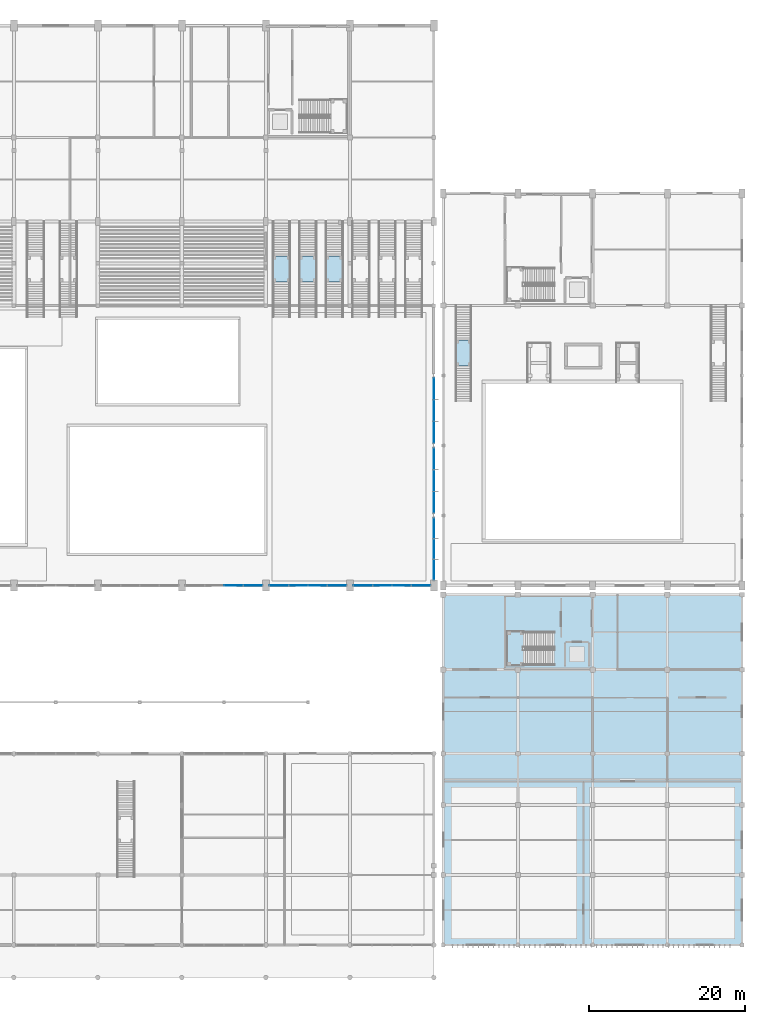
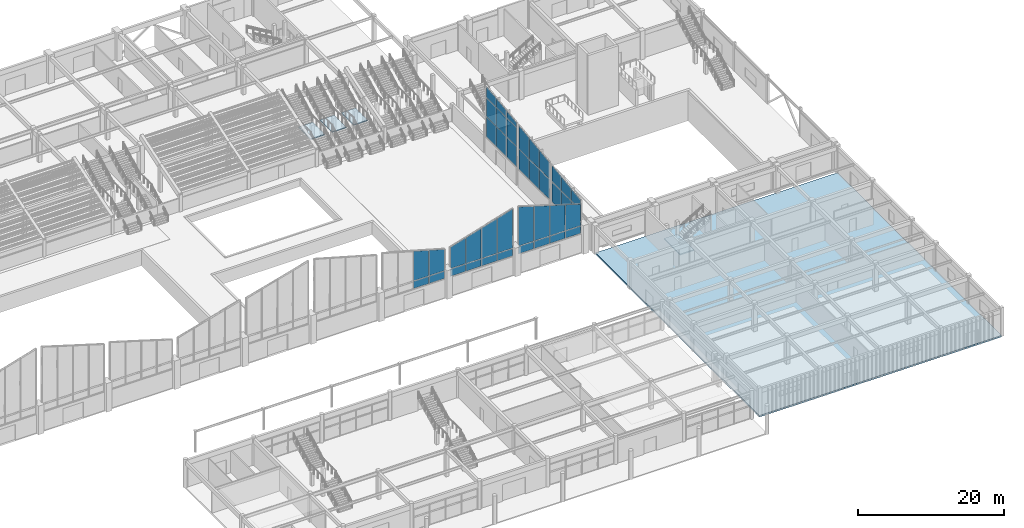
# One storey, part 44 of 82: 41 plates, 6 slabs, 11 elements without a shape of their own.
"""IFC4 building model written with IfcOpenShell, lengths in metres."""

import ifcopenshell
import ifcopenshell.guid

model = None  # the IFC model being written
_history = None  # IfcOwnerHistory: only IFC2X3 demands one
_inside = {}  # id of a spatial element -> (the spatial element, [elements in it])
_under = {}  # id of a project, library or spatial element -> (it, [spatial elements below it])
_declared = {}  # id of a project -> (the project, [libraries it declares])
_typed = {}  # id of a type object -> (the type object, [elements of that type])
_made_of = {}  # id of a material, layer set ... -> (it, [elements and type objects made of it])


def new_model(schema):
    """Start an empty IFC model of exactly this schema.

    Asked for "IFC4X3", IfcOpenShell would pick the latest addendum, in which some entities
    have other attributes; the version numbers below select the first issue.
    IFC2X3 requires an IfcOwnerHistory on every rooted entity: one is made here for all.
    """
    global model, _history
    if schema == "IFC4X3":
        model = ifcopenshell.file(schema_version=(4, 3, 0, 0))
    else:
        model = ifcopenshell.file(schema=schema)
    _inside.clear()
    _under.clear()
    _declared.clear()
    _typed.clear()
    _made_of.clear()
    _history = None
    if model.schema == "IFC2X3":
        org = make("IfcOrganization", Name="unknown")
        user = make(
            "IfcPersonAndOrganization",
            ThePerson=make("IfcPerson", FamilyName="unknown"),
            TheOrganization=org,
        )
        app = make(
            "IfcApplication",
            ApplicationDeveloper=org,
            Version="unknown",
            ApplicationFullName="unknown",
            ApplicationIdentifier="unknown",
        )
        _history = make(
            "IfcOwnerHistory",
            OwningUser=user,
            OwningApplication=app,
            ChangeAction="ADDED",
            CreationDate=0,
        )
    return model


def make(cls, **values):
    """One entity of the class cls with the attributes given. An attribute that is None is left unset."""
    return model.create_entity(
        cls, **{name: value for name, value in values.items() if value is not None}
    )


def rooted(cls, **values):
    """An entity with a GlobalId (a new one), such as an element, a storey or a relation."""
    return make(cls, GlobalId=ifcopenshell.guid.new(), OwnerHistory=_history, **values)


def si_unit(unit_type, name, prefix=None):
    """IfcSIUnit, for example si_unit("LENGTHUNIT", "METRE", prefix="MILLI")."""
    return make("IfcSIUnit", UnitType=unit_type, Prefix=prefix, Name=name)


def assignment(units):
    """IfcUnitAssignment: the units of a project."""
    return None if units is None else make("IfcUnitAssignment", Units=units)


def point(xyz):
    """IfcCartesianPoint."""
    return None if xyz is None else make("IfcCartesianPoint", Coordinates=xyz)


def direction(xyz):
    """IfcDirection."""
    return None if xyz is None else make("IfcDirection", DirectionRatios=xyz)


def frame(location, z_axis=None, x_axis=None):
    """IfcAxis2Placement3D, a coordinate frame: its origin and axes. An axis left out is left unset."""
    return make(
        "IfcAxis2Placement3D",
        Location=point(location),
        Axis=direction(z_axis),
        RefDirection=direction(x_axis),
    )


def origin():
    """The frame at (0, 0, 0) with its axes left unset."""
    return frame((0.0, 0.0, 0.0))


def place(relative_to, where):
    """IfcLocalPlacement: puts the frame where relative to a parent placement (None: the world)."""
    return make(
        "IfcLocalPlacement", PlacementRelTo=relative_to, RelativePlacement=where
    )


def context(
    kind, dimensions, precision=None, world=None, true_north=None, identifier=None
):
    """IfcGeometricRepresentationContext, for example the 3D "Model" context."""
    return make(
        "IfcGeometricRepresentationContext",
        ContextIdentifier=identifier,
        ContextType=kind,
        CoordinateSpaceDimension=dimensions,
        Precision=precision,
        WorldCoordinateSystem=world,
        TrueNorth=true_north,
    )


def subcontext(parent, identifier, kind, view, scale=None):
    """IfcGeometricRepresentationSubContext, for example "Body" below "Model"."""
    return make(
        "IfcGeometricRepresentationSubContext",
        ContextIdentifier=identifier,
        ContextType=kind,
        ParentContext=parent,
        TargetScale=scale,
        TargetView=view,
    )


def project(units=None, contexts=None):
    """IfcProject with its units and contexts."""
    return rooted(
        "IfcProject",
        Name="project",
        RepresentationContexts=contexts,
        UnitsInContext=assignment(units),
    )


def spatial(cls, under=None, at=None, **own):
    """A site, building, storey or space (cls), placed at a placement, below another one or the project."""
    s = rooted(cls, ObjectPlacement=at, **own)
    if under is not None:
        _under.setdefault(under.id(), (under, []))[1].append(s)
    return s


def polyline(points):
    """IfcPolyline through the points."""
    return make("IfcPolyline", Points=[point(p) for p in points])


def outline(outer, holes=None, kind="AREA"):
    """IfcArbitraryClosedProfileDef: a profile drawn as a closed curve; with holes, ...WithVoids."""
    if holes is None:
        return make("IfcArbitraryClosedProfileDef", ProfileType=kind, OuterCurve=outer)
    return make(
        "IfcArbitraryProfileDefWithVoids",
        ProfileType=kind,
        OuterCurve=outer,
        InnerCurves=holes,
    )


def extrude(swept, where, along, depth):
    """IfcExtrudedAreaSolid: the profile swept, set in the frame where, extruded along a direction by depth."""
    return make(
        "IfcExtrudedAreaSolid",
        SweptArea=swept,
        Position=where,
        ExtrudedDirection=direction(along),
        Depth=depth,
    )


def shape(context_of_items, identifier, shape_type, items):
    """IfcShapeRepresentation: the items that make up one representation, for example the "Body"."""
    return make(
        "IfcShapeRepresentation",
        ContextOfItems=context_of_items,
        RepresentationIdentifier=identifier,
        RepresentationType=shape_type,
        Items=items,
    )


def material(Name=None, Category=None):
    """IfcMaterial."""
    return make("IfcMaterial", Name=Name, Category=Category)


def layer(
    of_material, thickness, ventilated=None, Name=None, Category=None, Priority=None
):
    """IfcMaterialLayer: one layer of a wall or slab, of a material (None: an air gap)."""
    return make(
        "IfcMaterialLayer",
        Material=of_material,
        LayerThickness=thickness,
        IsVentilated=ventilated,
        Name=Name,
        Category=Category,
        Priority=Priority,
    )


def layer_set(layers, Name=None):
    """IfcMaterialLayerSet."""
    return make("IfcMaterialLayerSet", MaterialLayers=layers, LayerSetName=Name)


def made_of(thing, what):
    """Note that an element or type object is made of a material, layer set ...; save() writes the relation."""
    if what is not None:
        _made_of.setdefault(what.id(), (what, []))[1].append(thing)
    return thing


def type_object(cls, material=None, **own):
    """A type object (cls), such as IfcWallType, which elements share."""
    return made_of(rooted(cls, **own), material)


def element(
    cls,
    number,
    at=None,
    inside=None,
    cuts=None,
    type_object=None,
    material=None,
    context=None,
    identifier="Body",
    shape_type=None,
    held_by="IfcProductDefinitionShape",
    body=None,
    shapes=None,
    **own,
):
    """One element of the class cls, such as IfcWall. Its Tag is "e" and its number.

    at: its placement. inside: the storey or other place that contains it. cuts: it is an
    opening in that element (IfcRelVoidsElement). A single representation is given by context,
    identifier, shape_type and body (its items); several are given by shapes. held_by: the class
    of the entity that holds the representations. save() writes the other relations.
    """
    e = rooted(cls, Tag="e%d" % number, ObjectPlacement=at, **own)
    if body is not None:
        shapes = [shape(context, identifier, shape_type, body)]
    if shapes is not None:
        e.Representation = make(held_by, Representations=shapes)
    if inside is not None:
        _inside.setdefault(inside.id(), (inside, []))[1].append(e)
    if cuts is not None:
        rooted(
            "IfcRelVoidsElement", RelatingBuildingElement=cuts, RelatedOpeningElement=e
        )
    if type_object is not None:
        _typed.setdefault(type_object.id(), (type_object, []))[1].append(e)
    return made_of(e, material)


def aggregate(whole, parts):
    """IfcRelAggregates: a whole, such as a stair, and the parts it consists of."""
    return rooted("IfcRelAggregates", RelatingObject=whole, RelatedObjects=parts)


def save(model, path):
    """Write the relations noted so far, then the file.

    IfcRelAggregates (storeys below a building ...), IfcRelContainedInSpatialStructure (elements
    in a storey), IfcRelDefinesByType, IfcRelAssociatesMaterial and IfcRelDeclares: one each for
    every whole, place, type object, material and project.
    """
    for whole, parts in _under.values():
        aggregate(whole, parts)
    for where, things in _inside.values():
        rooted(
            "IfcRelContainedInSpatialStructure",
            RelatedElements=things,
            RelatingStructure=where,
        )
    for kind, things in _typed.values():
        rooted("IfcRelDefinesByType", RelatedObjects=things, RelatingType=kind)
    for what, things in _made_of.values():
        rooted("IfcRelAssociatesMaterial", RelatedObjects=things, RelatingMaterial=what)
    for by, libraries in _declared.values():
        rooted("IfcRelDeclares", RelatingContext=by, RelatedDefinitions=libraries)
    model.write(path)


model = new_model("IFC4")

# Units and contexts
model_context = context("Model", 3, precision=1e-05, world=origin(), true_north=direction((0.0, 1.0)))
body_context = subcontext(model_context, "Body", "Model", "MODEL_VIEW")
ifc_project = project(units=[si_unit("LENGTHUNIT", "METRE"), si_unit("AREAUNIT", "SQUARE_METRE"), si_unit("VOLUMEUNIT", "CUBIC_METRE"), si_unit("PLANEANGLEUNIT", "RADIAN"), si_unit("MASSUNIT", "GRAM", prefix="KILO")], contexts=[model_context])

# Site, building, storey
site_placement = place(None, origin())
site = spatial("IfcSite", under=ifc_project, at=site_placement, CompositionType="ELEMENT")
building_placement = place(site_placement, origin())
building = spatial("IfcBuilding", under=site, at=building_placement, Name="Suirenkawa Promenade Aquatics Centre", CompositionType="ELEMENT")
storey_placement = place(building_placement, origin())
storey = spatial("IfcBuildingStorey", under=building, at=storey_placement, Name="L00", CompositionType="ELEMENT", Elevation=0.0)

# Curtain wall, plates
ifc_material_1 = material(Name="Anodised aluminium 6063-T6", Category="aluminium")
curtain_wall_type_1 = type_object("IfcCurtainWallType", Name="CWAT-CLERS-12", PredefinedType="NOTDEFINED", material=ifc_material_1)
curtain_wall_1_placement = place(storey_placement, origin())
curtain_wall_1 = element("IfcCurtainWall", 1, at=curtain_wall_1_placement, inside=storey, type_object=curtain_wall_type_1, Name="Curtain wall CWA-12 CW-028", PredefinedType="NOTDEFINED")
ifc_material_2 = material(Name="Ceramic-fritted low-SHGC double glazing", Category="glass")
ifc_layer_1 = layer(ifc_material_2, 0.031982421875, Name="Ceramic-fritted low-SHGC double glazing", Category="glass")
ifc_layer_set_1 = layer_set([ifc_layer_1], Name="Ceramic-fritted low-SHGC double glazing")
plate_type_1 = type_object("IfcPlateType", Name="CWP-CLER-32", PredefinedType="CURTAIN_PANEL", material=ifc_layer_set_1)
plate_1_placement = place(storey_placement, frame((132.7509765625, 50.39990234375, 3.139892578125), z_axis=(0.0, 0.0, 1.0), x_axis=(-1.0, 0.0, 0.0)))
plate_1 = element("IfcPlate", 2, at=plate_1_placement, type_object=plate_type_1, Name="Glazed panel CP-03 CWP-00596", PredefinedType="CURTAIN_PANEL", context=body_context, shape_type="SweptSolid", body=[
    extrude(outline(polyline([(0.0400390625, 0.0), (2.435546875, 0.0), (2.435546875, 1.22021484375), (0.0400390625, 1.22021484375), (0.0400390625, 0.0)])), frame((0.0, 0.01611328125, 0.0), z_axis=(0.0, -1.0, 0.0), x_axis=(1.0, 0.0, 0.0)), (0.0, 0.0, 1.0), 0.031982421875),
])
plate_2_placement = place(storey_placement, frame((132.7509765625, 50.39990234375, 4.43994140625), z_axis=(0.0, 0.0, 1.0), x_axis=(-1.0, 0.0, 0.0)))
plate_2 = element("IfcPlate", 3, at=plate_2_placement, type_object=plate_type_1, Name="Top glazed panel CP-03 CWP-00597", PredefinedType="CURTAIN_PANEL", context=body_context, shape_type="SweptSolid", body=[
    extrude(outline(polyline([(0.0400390625, 0.0), (2.435546875, 0.0), (2.435546875, 4.27001953125), (0.0400390625, 3.570068359375), (0.0400390625, 0.0)])), frame((0.0, 0.01611328125, 0.0), z_axis=(0.0, -1.0, 0.0), x_axis=(1.0, 0.0, 0.0)), (0.0, 0.0, 1.0), 0.031982421875),
])
plate_3_placement = place(storey_placement, frame((130.275390625, 50.39990234375, 3.139892578125), z_axis=(0.0, 0.0, 1.0), x_axis=(-1.0, 0.0, 0.0)))
plate_3 = element("IfcPlate", 4, at=plate_3_placement, type_object=plate_type_1, Name="Glazed panel CP-03 CWP-00598", PredefinedType="CURTAIN_PANEL", context=body_context, shape_type="SweptSolid", body=[
    extrude(outline(polyline([(0.0400390625, 0.0), (2.435546875, 0.0), (2.435546875, 1.22021484375), (0.0400390625, 1.22021484375), (0.0400390625, 0.0)])), frame((0.0, 0.01611328125, 0.0), z_axis=(0.0, -1.0, 0.0), x_axis=(1.0, 0.0, 0.0)), (0.0, 0.0, 1.0), 0.031982421875),
])
plate_4_placement = place(storey_placement, frame((130.275390625, 50.39990234375, 4.43994140625), z_axis=(0.0, 0.0, 1.0), x_axis=(-1.0, 0.0, 0.0)))
plate_4 = element("IfcPlate", 5, at=plate_4_placement, type_object=plate_type_1, Name="Top glazed panel CP-03 CWP-00599", PredefinedType="CURTAIN_PANEL", context=body_context, shape_type="SweptSolid", body=[
    extrude(outline(polyline([(0.0400390625, 0.0), (2.435546875, 0.0), (2.435546875, 4.969970703125), (0.0400390625, 4.27001953125), (0.0400390625, 0.0)])), frame((0.0, 0.01611328125, 0.0), z_axis=(0.0, -1.0, 0.0), x_axis=(1.0, 0.0, 0.0)), (0.0, 0.0, 1.0), 0.031982421875),
])
aggregate(curtain_wall_1, [plate_1, plate_2, plate_3, plate_4])

curtain_wall_type_2 = type_object("IfcCurtainWallType", Name="CWAT-CLERS-05", PredefinedType="NOTDEFINED", material=ifc_material_1)
curtain_wall_2_placement = place(storey_placement, origin())
curtain_wall_2 = element("IfcCurtainWall", 6, at=curtain_wall_2_placement, inside=storey, type_object=curtain_wall_type_2, Name="Curtain wall CWA-05 CW-030", PredefinedType="NOTDEFINED")
plate_5_placement = place(storey_placement, frame((143.551025390625, 50.39990234375, 3.139892578125), z_axis=(0.0, 0.0, 1.0), x_axis=(-1.0, 0.0, 0.0)))
plate_5 = element("IfcPlate", 7, at=plate_5_placement, type_object=plate_type_1, Name="Glazed panel CP-03 CWP-00634", PredefinedType="CURTAIN_PANEL", context=body_context, shape_type="SweptSolid", body=[
    extrude(outline(polyline([(0.0400390625, 0.0), (2.435546875, 0.0), (2.435546875, 1.22021484375), (0.0400390625, 1.22021484375), (0.0400390625, 0.0)])), frame((0.0, 0.01611328125, 0.0), z_axis=(0.0, -1.0, 0.0), x_axis=(1.0, 0.0, 0.0)), (0.0, 0.0, 1.0), 0.031982421875),
])
plate_6_placement = place(storey_placement, frame((143.551025390625, 50.39990234375, 4.43994140625), z_axis=(0.0, 0.0, 1.0), x_axis=(-1.0, 0.0, 0.0)))
plate_6 = element("IfcPlate", 8, at=plate_6_placement, type_object=plate_type_1, Name="Top glazed panel CP-03 CWP-00635", PredefinedType="CURTAIN_PANEL", context=body_context, shape_type="SweptSolid", body=[
    extrude(outline(polyline([(0.0400390625, 0.0), (2.435546875, 0.0), (2.435546875, 5.820068359375), (0.0400390625, 6.570068359375), (0.0400390625, 0.0)])), frame((0.0, 0.01611328125, 0.0), z_axis=(0.0, -1.0, 0.0), x_axis=(1.0, 0.0, 0.0)), (0.0, 0.0, 1.0), 0.031982421875),
])
plate_7_placement = place(storey_placement, frame((141.075439453125, 50.39990234375, 3.139892578125), z_axis=(0.0, 0.0, 1.0), x_axis=(-1.0, 0.0, 0.0)))
plate_7 = element("IfcPlate", 9, at=plate_7_placement, type_object=plate_type_1, Name="Glazed panel CP-03 CWP-00636", PredefinedType="CURTAIN_PANEL", context=body_context, shape_type="SweptSolid", body=[
    extrude(outline(polyline([(0.0400390625, 0.0), (2.435546875, 0.0), (2.435546875, 1.22021484375), (0.0400390625, 1.22021484375), (0.0400390625, 0.0)])), frame((0.0, 0.01611328125, 0.0), z_axis=(0.0, -1.0, 0.0), x_axis=(1.0, 0.0, 0.0)), (0.0, 0.0, 1.0), 0.031982421875),
])
plate_8_placement = place(storey_placement, frame((141.075439453125, 50.39990234375, 4.43994140625), z_axis=(0.0, 0.0, 1.0), x_axis=(-1.0, 0.0, 0.0)))
plate_8 = element("IfcPlate", 10, at=plate_8_placement, type_object=plate_type_1, Name="Top glazed panel CP-03 CWP-00637", PredefinedType="CURTAIN_PANEL", context=body_context, shape_type="SweptSolid", body=[
    extrude(outline(polyline([(0.0400390625, 0.0), (2.435546875, 0.0), (2.435546875, 5.070068359375), (0.0400390625, 5.820068359375), (0.0400390625, 0.0)])), frame((0.0, 0.01611328125, 0.0), z_axis=(0.0, -1.0, 0.0), x_axis=(1.0, 0.0, 0.0)), (0.0, 0.0, 1.0), 0.031982421875),
])
plate_9_placement = place(storey_placement, frame((138.60009765625, 50.39990234375, 3.139892578125), z_axis=(0.0, 0.0, 1.0), x_axis=(-1.0, 0.0, 0.0)))
plate_9 = element("IfcPlate", 11, at=plate_9_placement, type_object=plate_type_1, Name="Glazed panel CP-03 CWP-00638", PredefinedType="CURTAIN_PANEL", context=body_context, shape_type="SweptSolid", body=[
    extrude(outline(polyline([(0.0400390625, 0.0), (2.435546875, 0.0), (2.435546875, 1.22021484375), (0.0400390625, 1.22021484375), (0.0400390625, 0.0)])), frame((0.0, 0.01611328125, 0.0), z_axis=(0.0, -1.0, 0.0), x_axis=(1.0, 0.0, 0.0)), (0.0, 0.0, 1.0), 0.031982421875),
])
plate_10_placement = place(storey_placement, frame((138.60009765625, 50.39990234375, 4.43994140625), z_axis=(0.0, 0.0, 1.0), x_axis=(-1.0, 0.0, 0.0)))
plate_10 = element("IfcPlate", 12, at=plate_10_placement, type_object=plate_type_1, Name="Top glazed panel CP-03 CWP-00639", PredefinedType="CURTAIN_PANEL", context=body_context, shape_type="SweptSolid", body=[
    extrude(outline(polyline([(0.0400390625, 0.0), (2.435546875, 0.0), (2.435546875, 4.320068359375), (0.0400390625, 5.070068359375), (0.0400390625, 0.0)])), frame((0.0, 0.01611328125, 0.0), z_axis=(0.0, -1.0, 0.0), x_axis=(1.0, 0.0, 0.0)), (0.0, 0.0, 1.0), 0.031982421875),
])
plate_11_placement = place(storey_placement, frame((136.12451171875, 50.39990234375, 3.139892578125), z_axis=(0.0, 0.0, 1.0), x_axis=(-1.0, 0.0, 0.0)))
plate_11 = element("IfcPlate", 13, at=plate_11_placement, type_object=plate_type_1, Name="Glazed panel CP-03 CWP-00640", PredefinedType="CURTAIN_PANEL", context=body_context, shape_type="SweptSolid", body=[
    extrude(outline(polyline([(0.0400390625, 0.0), (2.435546875, 0.0), (2.435546875, 1.22021484375), (0.0400390625, 1.22021484375), (0.0400390625, 0.0)])), frame((0.0, 0.01611328125, 0.0), z_axis=(0.0, -1.0, 0.0), x_axis=(1.0, 0.0, 0.0)), (0.0, 0.0, 1.0), 0.031982421875),
])
plate_12_placement = place(storey_placement, frame((136.12451171875, 50.39990234375, 4.43994140625), z_axis=(0.0, 0.0, 1.0), x_axis=(-1.0, 0.0, 0.0)))
plate_12 = element("IfcPlate", 14, at=plate_12_placement, type_object=plate_type_1, Name="Top glazed panel CP-03 CWP-00641", PredefinedType="CURTAIN_PANEL", context=body_context, shape_type="SweptSolid", body=[
    extrude(outline(polyline([(0.0400390625, 0.0), (2.435546875, 0.0), (2.435546875, 3.570068359375), (0.0400390625, 4.320068359375), (0.0400390625, 0.0)])), frame((0.0, 0.01611328125, 0.0), z_axis=(0.0, -1.0, 0.0), x_axis=(1.0, 0.0, 0.0)), (0.0, 0.0, 1.0), 0.031982421875),
])
aggregate(curtain_wall_2, [plate_5, plate_6, plate_7, plate_8, plate_9, plate_10, plate_11, plate_12])

curtain_wall_3_placement = place(storey_placement, origin())
curtain_wall_3 = element("IfcCurtainWall", 15, at=curtain_wall_3_placement, inside=storey, type_object=curtain_wall_type_2, Name="Curtain wall CWA-05 CW-032", PredefinedType="NOTDEFINED")
plate_13_placement = place(storey_placement, frame((154.35107421875, 50.39990234375, 3.139892578125), z_axis=(0.0, 0.0, 1.0), x_axis=(-1.0, 0.0, 0.0)))
plate_13 = element("IfcPlate", 16, at=plate_13_placement, type_object=plate_type_1, Name="Glazed panel CP-03 CWP-00672", PredefinedType="CURTAIN_PANEL", context=body_context, shape_type="SweptSolid", body=[
    extrude(outline(polyline([(0.0400390625, 0.0), (2.435546875, 0.0), (2.435546875, 1.22021484375), (0.0400390625, 1.22021484375), (0.0400390625, 0.0)])), frame((0.0, 0.01611328125, 0.0), z_axis=(0.0, -1.0, 0.0), x_axis=(1.0, 0.0, 0.0)), (0.0, 0.0, 1.0), 0.031982421875),
])
plate_14_placement = place(storey_placement, frame((154.35107421875, 50.39990234375, 4.43994140625), z_axis=(0.0, 0.0, 1.0), x_axis=(-1.0, 0.0, 0.0)))
plate_14 = element("IfcPlate", 17, at=plate_14_placement, type_object=plate_type_1, Name="Top glazed panel CP-03 CWP-00673", PredefinedType="CURTAIN_PANEL", context=body_context, shape_type="SweptSolid", body=[
    extrude(outline(polyline([(0.0400390625, 0.0), (2.435546875, 0.0), (2.435546875, 4.320068359375), (0.0400390625, 3.570068359375), (0.0400390625, 0.0)])), frame((0.0, 0.01611328125, 0.0), z_axis=(0.0, -1.0, 0.0), x_axis=(1.0, 0.0, 0.0)), (0.0, 0.0, 1.0), 0.031982421875),
])
plate_15_placement = place(storey_placement, frame((151.87548828125, 50.39990234375, 3.139892578125), z_axis=(0.0, 0.0, 1.0), x_axis=(-1.0, 0.0, 0.0)))
plate_15 = element("IfcPlate", 18, at=plate_15_placement, type_object=plate_type_1, Name="Glazed panel CP-03 CWP-00674", PredefinedType="CURTAIN_PANEL", context=body_context, shape_type="SweptSolid", body=[
    extrude(outline(polyline([(0.0400390625, 0.0), (2.435546875, 0.0), (2.435546875, 1.22021484375), (0.0400390625, 1.22021484375), (0.0400390625, 0.0)])), frame((0.0, 0.01611328125, 0.0), z_axis=(0.0, -1.0, 0.0), x_axis=(1.0, 0.0, 0.0)), (0.0, 0.0, 1.0), 0.031982421875),
])
plate_16_placement = place(storey_placement, frame((151.87548828125, 50.39990234375, 4.43994140625), z_axis=(0.0, 0.0, 1.0), x_axis=(-1.0, 0.0, 0.0)))
plate_16 = element("IfcPlate", 19, at=plate_16_placement, type_object=plate_type_1, Name="Top glazed panel CP-03 CWP-00675", PredefinedType="CURTAIN_PANEL", context=body_context, shape_type="SweptSolid", body=[
    extrude(outline(polyline([(0.0400390625, 0.0), (2.435546875, 0.0), (2.435546875, 5.070068359375), (0.0400390625, 4.320068359375), (0.0400390625, 0.0)])), frame((0.0, 0.01611328125, 0.0), z_axis=(0.0, -1.0, 0.0), x_axis=(1.0, 0.0, 0.0)), (0.0, 0.0, 1.0), 0.031982421875),
])
plate_17_placement = place(storey_placement, frame((149.39990234375, 50.39990234375, 3.139892578125), z_axis=(0.0, 0.0, 1.0), x_axis=(-1.0, 0.0, 0.0)))
plate_17 = element("IfcPlate", 20, at=plate_17_placement, type_object=plate_type_1, Name="Glazed panel CP-03 CWP-00676", PredefinedType="CURTAIN_PANEL", context=body_context, shape_type="SweptSolid", body=[
    extrude(outline(polyline([(0.0400390625, 0.0), (2.435546875, 0.0), (2.435546875, 1.22021484375), (0.0400390625, 1.22021484375), (0.0400390625, 0.0)])), frame((0.0, 0.01611328125, 0.0), z_axis=(0.0, -1.0, 0.0), x_axis=(1.0, 0.0, 0.0)), (0.0, 0.0, 1.0), 0.031982421875),
])
plate_18_placement = place(storey_placement, frame((149.39990234375, 50.39990234375, 4.43994140625), z_axis=(0.0, 0.0, 1.0), x_axis=(-1.0, 0.0, 0.0)))
plate_18 = element("IfcPlate", 21, at=plate_18_placement, type_object=plate_type_1, Name="Top glazed panel CP-03 CWP-00677", PredefinedType="CURTAIN_PANEL", context=body_context, shape_type="SweptSolid", body=[
    extrude(outline(polyline([(0.0400390625, 0.0), (2.435546875, 0.0), (2.435546875, 5.820068359375), (0.0400390625, 5.070068359375), (0.0400390625, 0.0)])), frame((0.0, 0.01611328125, 0.0), z_axis=(0.0, -1.0, 0.0), x_axis=(1.0, 0.0, 0.0)), (0.0, 0.0, 1.0), 0.031982421875),
])
plate_19_placement = place(storey_placement, frame((146.924560546875, 50.39990234375, 3.139892578125), z_axis=(0.0, 0.0, 1.0), x_axis=(-1.0, 0.0, 0.0)))
plate_19 = element("IfcPlate", 22, at=plate_19_placement, type_object=plate_type_1, Name="Glazed panel CP-03 CWP-00678", PredefinedType="CURTAIN_PANEL", context=body_context, shape_type="SweptSolid", body=[
    extrude(outline(polyline([(0.0400390625, 0.0), (2.435546875, 0.0), (2.435546875, 1.22021484375), (0.0400390625, 1.22021484375), (0.0400390625, 0.0)])), frame((0.0, 0.01611328125, 0.0), z_axis=(0.0, -1.0, 0.0), x_axis=(1.0, 0.0, 0.0)), (0.0, 0.0, 1.0), 0.031982421875),
])
plate_20_placement = place(storey_placement, frame((146.924560546875, 50.39990234375, 4.43994140625), z_axis=(0.0, 0.0, 1.0), x_axis=(-1.0, 0.0, 0.0)))
plate_20 = element("IfcPlate", 23, at=plate_20_placement, type_object=plate_type_1, Name="Top glazed panel CP-03 CWP-00679", PredefinedType="CURTAIN_PANEL", context=body_context, shape_type="SweptSolid", body=[
    extrude(outline(polyline([(0.0400390625, 0.0), (2.435546875, 0.0), (2.435546875, 6.570068359375), (0.0400390625, 5.820068359375), (0.0400390625, 0.0)])), frame((0.0, 0.01611328125, 0.0), z_axis=(0.0, -1.0, 0.0), x_axis=(1.0, 0.0, 0.0)), (0.0, 0.0, 1.0), 0.031982421875),
])
aggregate(curtain_wall_3, [plate_13, plate_14, plate_15, plate_16, plate_17, plate_18, plate_19, plate_20])

curtain_wall_type_3 = type_object("IfcCurtainWallType", Name="CWAT-GABLEV1-01", PredefinedType="NOTDEFINED", material=ifc_material_1)
curtain_wall_4_placement = place(storey_placement, origin())
curtain_wall_4 = element("IfcCurtainWall", 24, at=curtain_wall_4_placement, inside=storey, type_object=curtain_wall_type_3, Name="Curtain wall CWA-01 CW-005", PredefinedType="NOTDEFINED")
ifc_layer_2 = layer(ifc_material_2, 0.035888671875, Name="Ceramic-fritted low-SHGC double glazing", Category="glass")
ifc_layer_set_2 = layer_set([ifc_layer_2], Name="Ceramic-fritted low-SHGC double glazing")
plate_type_2 = type_object("IfcPlateType", Name="CWP-SHOJI-36", PredefinedType="CURTAIN_PANEL", material=ifc_layer_set_2)
plate_21_placement = place(storey_placement, frame((154.800048828125, 59.10107421875, 2.989990234375), z_axis=(0.0, 0.0, 1.0), x_axis=(0.0, -1.0, 0.0)))
plate_21 = element("IfcPlate", 25, at=plate_21_placement, type_object=plate_type_2, Name="Glazed panel CP-01 CWP-00114", PredefinedType="CURTAIN_PANEL", context=body_context, shape_type="SweptSolid", body=[
    extrude(outline(polyline([(0.0400390625, 0.0), (2.62744140625, 0.0), (2.62744140625, 3.3701171875), (0.0400390625, 3.3701171875), (0.0400390625, 0.0)])), frame((0.0, 0.01806640625, 0.0), z_axis=(0.0, -1.0, 0.0), x_axis=(1.0, 0.0, 0.0)), (0.0, 0.0, 1.0), 0.035888671875),
])
plate_22_placement = place(storey_placement, frame((154.800048828125, 59.10107421875, 6.43994140625), z_axis=(0.0, 0.0, 1.0), x_axis=(0.0, -1.0, 0.0)))
plate_22 = element("IfcPlate", 26, at=plate_22_placement, type_object=plate_type_2, Name="Top glazed panel CP-01 CWP-00115", PredefinedType="CURTAIN_PANEL", context=body_context, shape_type="SweptSolid", body=[
    extrude(outline(polyline([(0.0400390625, 0.0), (2.62744140625, 0.0), (2.62744140625, 2.34765625), (0.0400390625, 2.69140625), (0.0400390625, 0.0)])), frame((0.0, 0.01806640625, 0.0), z_axis=(0.0, -1.0, 0.0), x_axis=(1.0, 0.0, 0.0)), (0.0, 0.0, 1.0), 0.035888671875),
])
plate_23_placement = place(storey_placement, frame((154.800048828125, 56.43359375, 2.989990234375), z_axis=(0.0, 0.0, 1.0), x_axis=(0.0, -1.0, 0.0)))
plate_23 = element("IfcPlate", 27, at=plate_23_placement, type_object=plate_type_2, Name="Glazed panel CP-01 CWP-00116", PredefinedType="CURTAIN_PANEL", context=body_context, shape_type="SweptSolid", body=[
    extrude(outline(polyline([(0.0400390625, 0.0), (2.62744140625, 0.0), (2.62744140625, 3.3701171875), (0.0400390625, 3.3701171875), (0.0400390625, 0.0)])), frame((0.0, 0.01806640625, 0.0), z_axis=(0.0, -1.0, 0.0), x_axis=(1.0, 0.0, 0.0)), (0.0, 0.0, 1.0), 0.035888671875),
])
plate_24_placement = place(storey_placement, frame((154.800048828125, 56.43359375, 6.43994140625), z_axis=(0.0, 0.0, 1.0), x_axis=(0.0, -1.0, 0.0)))
plate_24 = element("IfcPlate", 28, at=plate_24_placement, type_object=plate_type_2, Name="Top glazed panel CP-01 CWP-00117", PredefinedType="CURTAIN_PANEL", context=body_context, shape_type="SweptSolid", body=[
    extrude(outline(polyline([(0.0400390625, 0.0), (2.62744140625, 0.0), (2.62744140625, 2.00390625), (0.0400390625, 2.34765625), (0.0400390625, 0.0)])), frame((0.0, 0.01806640625, 0.0), z_axis=(0.0, -1.0, 0.0), x_axis=(1.0, 0.0, 0.0)), (0.0, 0.0, 1.0), 0.035888671875),
])
plate_25_placement = place(storey_placement, frame((154.800048828125, 53.766357421875, 2.989990234375), z_axis=(0.0, 0.0, 1.0), x_axis=(0.0, -1.0, 0.0)))
plate_25 = element("IfcPlate", 29, at=plate_25_placement, type_object=plate_type_2, Name="Glazed panel CP-01 CWP-00118", PredefinedType="CURTAIN_PANEL", context=body_context, shape_type="SweptSolid", body=[
    extrude(outline(polyline([(0.0400390625, 0.0), (2.62744140625, 0.0), (2.62744140625, 3.3701171875), (0.0400390625, 3.3701171875), (0.0400390625, 0.0)])), frame((0.0, 0.01806640625, 0.0), z_axis=(0.0, -1.0, 0.0), x_axis=(1.0, 0.0, 0.0)), (0.0, 0.0, 1.0), 0.035888671875),
])
plate_26_placement = place(storey_placement, frame((154.800048828125, 53.766357421875, 6.43994140625), z_axis=(0.0, 0.0, 1.0), x_axis=(0.0, -1.0, 0.0)))
plate_26 = element("IfcPlate", 30, at=plate_26_placement, type_object=plate_type_2, Name="Top glazed panel CP-01 CWP-00119", PredefinedType="CURTAIN_PANEL", context=body_context, shape_type="SweptSolid", body=[
    extrude(outline(polyline([(0.0400390625, 0.0), (2.62744140625, 0.0), (2.62744140625, 1.66015625), (0.0400390625, 2.00390625), (0.0400390625, 0.0)])), frame((0.0, 0.01806640625, 0.0), z_axis=(0.0, -1.0, 0.0), x_axis=(1.0, 0.0, 0.0)), (0.0, 0.0, 1.0), 0.035888671875),
])
aggregate(curtain_wall_4, [plate_21, plate_22, plate_23, plate_24, plate_25, plate_26])

curtain_wall_type_4 = type_object("IfcCurtainWallType", Name="CWAT-GABLEV1-02", PredefinedType="NOTDEFINED", material=ifc_material_1)
curtain_wall_5_placement = place(storey_placement, origin())
curtain_wall_5 = element("IfcCurtainWall", 31, at=curtain_wall_5_placement, inside=storey, type_object=curtain_wall_type_4, Name="Curtain wall CWA-02 CW-006", PredefinedType="NOTDEFINED")
plate_27_placement = place(storey_placement, frame((154.800048828125, 68.10107421875, 2.989990234375), z_axis=(0.0, 0.0, 1.0), x_axis=(0.0, -1.0, 0.0)))
plate_27 = element("IfcPlate", 32, at=plate_27_placement, type_object=plate_type_2, Name="Glazed panel CP-01 CWP-00131", PredefinedType="CURTAIN_PANEL", context=body_context, shape_type="SweptSolid", body=[
    extrude(outline(polyline([(0.0400390625, 0.0), (2.7607421875, 0.0), (2.7607421875, 3.3701171875), (0.0400390625, 3.3701171875), (0.0400390625, 0.0)])), frame((0.0, 0.01806640625, 0.0), z_axis=(0.0, -1.0, 0.0), x_axis=(1.0, 0.0, 0.0)), (0.0, 0.0, 1.0), 0.035888671875),
])
plate_28_placement = place(storey_placement, frame((154.800048828125, 68.10107421875, 6.43994140625), z_axis=(0.0, 0.0, 1.0), x_axis=(0.0, -1.0, 0.0)))
plate_28 = element("IfcPlate", 33, at=plate_28_placement, type_object=plate_type_2, Name="Top glazed panel CP-01 CWP-00132", PredefinedType="CURTAIN_PANEL", context=body_context, shape_type="SweptSolid", body=[
    extrude(outline(polyline([(0.0400390625, 0.0), (2.7607421875, 0.0), (2.7607421875, 3.490478515625), (0.0400390625, 3.8515625), (0.0400390625, 0.0)])), frame((0.0, 0.01806640625, 0.0), z_axis=(0.0, -1.0, 0.0), x_axis=(1.0, 0.0, 0.0)), (0.0, 0.0, 1.0), 0.035888671875),
])
plate_29_placement = place(storey_placement, frame((154.800048828125, 65.30029296875, 2.989990234375), z_axis=(0.0, 0.0, 1.0), x_axis=(0.0, -1.0, 0.0)))
plate_29 = element("IfcPlate", 34, at=plate_29_placement, type_object=plate_type_2, Name="Glazed panel CP-01 CWP-00133", PredefinedType="CURTAIN_PANEL", context=body_context, shape_type="SweptSolid", body=[
    extrude(outline(polyline([(0.0400390625, 0.0), (2.7607421875, 0.0), (2.7607421875, 3.3701171875), (0.0400390625, 3.3701171875), (0.0400390625, 0.0)])), frame((0.0, 0.01806640625, 0.0), z_axis=(0.0, -1.0, 0.0), x_axis=(1.0, 0.0, 0.0)), (0.0, 0.0, 1.0), 0.035888671875),
])
plate_30_placement = place(storey_placement, frame((154.800048828125, 65.30029296875, 6.43994140625), z_axis=(0.0, 0.0, 1.0), x_axis=(0.0, -1.0, 0.0)))
plate_30 = element("IfcPlate", 35, at=plate_30_placement, type_object=plate_type_2, Name="Top glazed panel CP-01 CWP-00134", PredefinedType="CURTAIN_PANEL", context=body_context, shape_type="SweptSolid", body=[
    extrude(outline(polyline([(0.0400390625, 0.0), (2.7607421875, 0.0), (2.7607421875, 3.129638671875), (0.0400390625, 3.490478515625), (0.0400390625, 0.0)])), frame((0.0, 0.01806640625, 0.0), z_axis=(0.0, -1.0, 0.0), x_axis=(1.0, 0.0, 0.0)), (0.0, 0.0, 1.0), 0.035888671875),
])
plate_31_placement = place(storey_placement, frame((154.800048828125, 62.499755859375, 2.989990234375), z_axis=(0.0, 0.0, 1.0), x_axis=(0.0, -1.0, 0.0)))
plate_31 = element("IfcPlate", 36, at=plate_31_placement, type_object=plate_type_2, Name="Glazed panel CP-01 CWP-00135", PredefinedType="CURTAIN_PANEL", context=body_context, shape_type="SweptSolid", body=[
    extrude(outline(polyline([(0.0400390625, 0.0), (2.7607421875, 0.0), (2.7607421875, 3.3701171875), (0.0400390625, 3.3701171875), (0.0400390625, 0.0)])), frame((0.0, 0.01806640625, 0.0), z_axis=(0.0, -1.0, 0.0), x_axis=(1.0, 0.0, 0.0)), (0.0, 0.0, 1.0), 0.035888671875),
])
plate_32_placement = place(storey_placement, frame((154.800048828125, 62.499755859375, 6.43994140625), z_axis=(0.0, 0.0, 1.0), x_axis=(0.0, -1.0, 0.0)))
plate_32 = element("IfcPlate", 37, at=plate_32_placement, type_object=plate_type_2, Name="Top glazed panel CP-01 CWP-00136", PredefinedType="CURTAIN_PANEL", context=body_context, shape_type="SweptSolid", body=[
    extrude(outline(polyline([(0.0400390625, 0.0), (2.7607421875, 0.0), (2.7607421875, 2.7685546875), (0.0400390625, 3.129638671875), (0.0400390625, 0.0)])), frame((0.0, 0.01806640625, 0.0), z_axis=(0.0, -1.0, 0.0), x_axis=(1.0, 0.0, 0.0)), (0.0, 0.0, 1.0), 0.035888671875),
])
aggregate(curtain_wall_5, [plate_27, plate_28, plate_29, plate_30, plate_31, plate_32])

curtain_wall_type_5 = type_object("IfcCurtainWallType", Name="CWAT-GABLEV1-03", PredefinedType="NOTDEFINED", material=ifc_material_1)
curtain_wall_6_placement = place(storey_placement, origin())
curtain_wall_6 = element("IfcCurtainWall", 38, at=curtain_wall_6_placement, inside=storey, type_object=curtain_wall_type_5, Name="Curtain wall CWA-03 CW-007", PredefinedType="NOTDEFINED")
plate_33_placement = place(storey_placement, frame((154.800048828125, 77.10107421875, 2.989990234375), z_axis=(0.0, 0.0, 1.0), x_axis=(0.0, -1.0, 0.0)))
plate_33 = element("IfcPlate", 39, at=plate_33_placement, type_object=plate_type_2, Name="Glazed panel CP-01 CWP-00151", PredefinedType="CURTAIN_PANEL", context=body_context, shape_type="SweptSolid", body=[
    extrude(outline(polyline([(0.0400390625, 0.0), (2.7607421875, 0.0), (2.7607421875, 3.3701171875), (0.0400390625, 3.3701171875), (0.0400390625, 0.0)])), frame((0.0, 0.01806640625, 0.0), z_axis=(0.0, -1.0, 0.0), x_axis=(1.0, 0.0, 0.0)), (0.0, 0.0, 1.0), 0.035888671875),
])
plate_34_placement = place(storey_placement, frame((154.800048828125, 77.10107421875, 6.43994140625), z_axis=(0.0, 0.0, 1.0), x_axis=(0.0, -1.0, 0.0)))
plate_34 = element("IfcPlate", 40, at=plate_34_placement, type_object=plate_type_2, Name="Glazed panel CP-01 CWP-00152", PredefinedType="CURTAIN_PANEL", context=body_context, shape_type="SweptSolid", body=[
    extrude(outline(polyline([(0.0400390625, 0.0), (2.7607421875, 0.0), (2.7607421875, 3.1201171875), (0.0400390625, 3.1201171875), (0.0400390625, 0.0)])), frame((0.0, 0.01806640625, 0.0), z_axis=(0.0, -1.0, 0.0), x_axis=(1.0, 0.0, 0.0)), (0.0, 0.0, 1.0), 0.035888671875),
])
plate_35_placement = place(storey_placement, frame((154.800048828125, 77.10107421875, 9.639892578125), z_axis=(0.0, 0.0, 1.0), x_axis=(0.0, -1.0, 0.0)))
plate_35 = element("IfcPlate", 41, at=plate_35_placement, type_object=plate_type_2, Name="Top glazed panel CP-01 CWP-00153", PredefinedType="CURTAIN_PANEL", context=body_context, shape_type="SweptSolid", body=[
    extrude(outline(polyline([(0.0400390625, 0.0), (2.7607421875, 0.0), (2.7607421875, 1.45068359375), (0.0400390625, 1.8115234375), (0.0400390625, 0.0)])), frame((0.0, 0.01806640625, 0.0), z_axis=(0.0, -1.0, 0.0), x_axis=(1.0, 0.0, 0.0)), (0.0, 0.0, 1.0), 0.035888671875),
])
plate_36_placement = place(storey_placement, frame((154.800048828125, 74.30029296875, 2.989990234375), z_axis=(0.0, 0.0, 1.0), x_axis=(0.0, -1.0, 0.0)))
plate_36 = element("IfcPlate", 42, at=plate_36_placement, type_object=plate_type_2, Name="Glazed panel CP-01 CWP-00154", PredefinedType="CURTAIN_PANEL", context=body_context, shape_type="SweptSolid", body=[
    extrude(outline(polyline([(0.0400390625, 0.0), (2.7607421875, 0.0), (2.7607421875, 3.3701171875), (0.0400390625, 3.3701171875), (0.0400390625, 0.0)])), frame((0.0, 0.01806640625, 0.0), z_axis=(0.0, -1.0, 0.0), x_axis=(1.0, 0.0, 0.0)), (0.0, 0.0, 1.0), 0.035888671875),
])
plate_37_placement = place(storey_placement, frame((154.800048828125, 74.30029296875, 6.43994140625), z_axis=(0.0, 0.0, 1.0), x_axis=(0.0, -1.0, 0.0)))
plate_37 = element("IfcPlate", 43, at=plate_37_placement, type_object=plate_type_2, Name="Glazed panel CP-01 CWP-00155", PredefinedType="CURTAIN_PANEL", context=body_context, shape_type="SweptSolid", body=[
    extrude(outline(polyline([(0.0400390625, 0.0), (2.7607421875, 0.0), (2.7607421875, 3.1201171875), (0.0400390625, 3.1201171875), (0.0400390625, 0.0)])), frame((0.0, 0.01806640625, 0.0), z_axis=(0.0, -1.0, 0.0), x_axis=(1.0, 0.0, 0.0)), (0.0, 0.0, 1.0), 0.035888671875),
])
plate_38_placement = place(storey_placement, frame((154.800048828125, 74.30029296875, 9.639892578125), z_axis=(0.0, 0.0, 1.0), x_axis=(0.0, -1.0, 0.0)))
plate_38 = element("IfcPlate", 44, at=plate_38_placement, type_object=plate_type_2, Name="Top glazed panel CP-01 CWP-00156", PredefinedType="CURTAIN_PANEL", context=body_context, shape_type="SweptSolid", body=[
    extrude(outline(polyline([(0.0400390625, 0.0), (2.7607421875, 0.0), (2.7607421875, 1.089599609375), (0.0400390625, 1.45068359375), (0.0400390625, 0.0)])), frame((0.0, 0.01806640625, 0.0), z_axis=(0.0, -1.0, 0.0), x_axis=(1.0, 0.0, 0.0)), (0.0, 0.0, 1.0), 0.035888671875),
])
plate_39_placement = place(storey_placement, frame((154.800048828125, 71.499755859375, 2.989990234375), z_axis=(0.0, 0.0, 1.0), x_axis=(0.0, -1.0, 0.0)))
plate_39 = element("IfcPlate", 45, at=plate_39_placement, type_object=plate_type_2, Name="Glazed panel CP-01 CWP-00157", PredefinedType="CURTAIN_PANEL", context=body_context, shape_type="SweptSolid", body=[
    extrude(outline(polyline([(0.0400390625, 0.0), (2.7607421875, 0.0), (2.7607421875, 3.3701171875), (0.0400390625, 3.3701171875), (0.0400390625, 0.0)])), frame((0.0, 0.01806640625, 0.0), z_axis=(0.0, -1.0, 0.0), x_axis=(1.0, 0.0, 0.0)), (0.0, 0.0, 1.0), 0.035888671875),
])
plate_40_placement = place(storey_placement, frame((154.800048828125, 71.499755859375, 6.43994140625), z_axis=(0.0, 0.0, 1.0), x_axis=(0.0, -1.0, 0.0)))
plate_40 = element("IfcPlate", 46, at=plate_40_placement, type_object=plate_type_2, Name="Glazed panel CP-01 CWP-00158", PredefinedType="CURTAIN_PANEL", context=body_context, shape_type="SweptSolid", body=[
    extrude(outline(polyline([(0.0400390625, 0.0), (2.7607421875, 0.0), (2.7607421875, 3.1201171875), (0.0400390625, 3.1201171875), (0.0400390625, 0.0)])), frame((0.0, 0.01806640625, 0.0), z_axis=(0.0, -1.0, 0.0), x_axis=(1.0, 0.0, 0.0)), (0.0, 0.0, 1.0), 0.035888671875),
])
plate_41_placement = place(storey_placement, frame((154.800048828125, 71.499755859375, 9.639892578125), z_axis=(0.0, 0.0, 1.0), x_axis=(0.0, -1.0, 0.0)))
plate_41 = element("IfcPlate", 47, at=plate_41_placement, type_object=plate_type_2, Name="Top glazed panel CP-01 CWP-00159", PredefinedType="CURTAIN_PANEL", context=body_context, shape_type="SweptSolid", body=[
    extrude(outline(polyline([(0.0400390625, 0.0), (2.7607421875, 0.0), (2.7607421875, 0.728759765625), (0.0400390625, 1.089599609375), (0.0400390625, 0.0)])), frame((0.0, 0.01806640625, 0.0), z_axis=(0.0, -1.0, 0.0), x_axis=(1.0, 0.0, 0.0)), (0.0, 0.0, 1.0), 0.035888671875),
])
aggregate(curtain_wall_6, [plate_33, plate_34, plate_35, plate_36, plate_37, plate_38, plate_39, plate_40, plate_41])

# Stair, slab
ifc_material_3 = material(Name="Concrete M40", Category="concrete")
stair_type_1 = type_object("IfcStairType", Name="STT-CORE-2100-480", PredefinedType="TWO_STRAIGHT_RUN_STAIR", material=ifc_material_3)
stair_1_placement = place(storey_placement, origin())
stair_1 = element("IfcStair", 48, at=stair_1_placement, inside=storey, type_object=stair_type_1, Name="Protected exit stair STR-01 ST-19", PredefinedType="TWO_STRAIGHT_RUN_STAIR")
ifc_layer_3 = layer(ifc_material_3, 0.169921875, Name="Concrete M40", Category="concrete")
ifc_layer_set_3 = layer_set([ifc_layer_3], Name="Concrete M40")
slab_type_1 = type_object("IfcSlabType", Name="SLT-LANDING-170", PredefinedType="LANDING", material=ifc_layer_set_3)
slab_1_placement = place(storey_placement, frame((0.0, 0.0, 2.219970703125)))
slab_1 = element("IfcSlab", 49, at=slab_1_placement, type_object=slab_type_1, Name="Stair landing SL-LND-01 SL-8019", PredefinedType="LANDING", context=body_context, shape_type="SweptSolid", body=[
    extrude(outline(polyline([(164.159912109375, 40.1201171875), (166.35009765625, 40.1201171875), (166.35009765625, 44.510009765625), (164.159912109375, 44.510009765625), (164.159912109375, 40.1201171875)])), origin(), (0.0, 0.0, 1.0), 0.179931640625),
])
aggregate(stair_1, [slab_1])

stair_type_2 = type_object("IfcStairType", Name="STT-CASCADE-3200", PredefinedType="STRAIGHT_RUN_STAIR", material=ifc_material_3)
stair_2_placement = place(storey_placement, origin())
stair_2 = element("IfcStair", 50, at=stair_2_placement, inside=storey, type_object=stair_type_2, Name="Grand assembly cascade stair STR-04 ST-26", PredefinedType="STRAIGHT_RUN_STAIR")
slab_2_placement = place(storey_placement, frame((0.0, 0.0, 2.219970703125)))
slab_2 = element("IfcSlab", 51, at=slab_2_placement, type_object=slab_type_1, Name="Cascade landing SL-LND-01 SL-8026", PredefinedType="LANDING", context=body_context, shape_type="SweptSolid", body=[
    extrude(outline(polyline([(134.074951171875, 89.405029296875), (136.324951171875, 89.405029296875), (136.324951171875, 92.7451171875), (134.074951171875, 92.7451171875), (134.074951171875, 89.405029296875)])), origin(), (0.0, 0.0, 1.0), 0.179931640625),
])
aggregate(stair_2, [slab_2])

stair_3_placement = place(storey_placement, origin())
stair_3 = element("IfcStair", 52, at=stair_3_placement, inside=storey, type_object=stair_type_2, Name="Grand assembly cascade stair STR-04 ST-27", PredefinedType="STRAIGHT_RUN_STAIR")
slab_3_placement = place(storey_placement, frame((0.0, 0.0, 2.219970703125)))
slab_3 = element("IfcSlab", 53, at=slab_3_placement, type_object=slab_type_1, Name="Cascade landing SL-LND-01 SL-8027", PredefinedType="LANDING", context=body_context, shape_type="SweptSolid", body=[
    extrude(outline(polyline([(137.47509765625, 89.405029296875), (139.72509765625, 89.405029296875), (139.72509765625, 92.7451171875), (137.47509765625, 92.7451171875), (137.47509765625, 89.405029296875)])), origin(), (0.0, 0.0, 1.0), 0.179931640625),
])
aggregate(stair_3, [slab_3])

stair_4_placement = place(storey_placement, origin())
stair_4 = element("IfcStair", 54, at=stair_4_placement, inside=storey, type_object=stair_type_2, Name="Grand assembly cascade stair STR-04 ST-28", PredefinedType="STRAIGHT_RUN_STAIR")
slab_4_placement = place(storey_placement, frame((0.0, 0.0, 2.219970703125)))
slab_4 = element("IfcSlab", 55, at=slab_4_placement, type_object=slab_type_1, Name="Cascade landing SL-LND-01 SL-8028", PredefinedType="LANDING", context=body_context, shape_type="SweptSolid", body=[
    extrude(outline(polyline([(140.875, 89.405029296875), (143.125, 89.405029296875), (143.125, 92.7451171875), (140.875, 92.7451171875), (140.875, 89.405029296875)])), origin(), (0.0, 0.0, 1.0), 0.179931640625),
])
aggregate(stair_4, [slab_4])

stair_type_3 = type_object("IfcStairType", Name="STT-DIVE-2000", PredefinedType="STRAIGHT_RUN_STAIR", material=ifc_material_3)
stair_5_placement = place(storey_placement, origin())
stair_5 = element("IfcStair", 56, at=stair_5_placement, inside=storey, type_object=stair_type_3, Name="Grand assembly cascade stair STR-06 ST-34", PredefinedType="STRAIGHT_RUN_STAIR")
slab_5_placement = place(storey_placement, frame((0.0, 0.0, 2.219970703125)))
slab_5 = element("IfcSlab", 57, at=slab_5_placement, type_object=slab_type_1, Name="Cascade landing SL-LND-01 SL-8034", PredefinedType="LANDING", context=body_context, shape_type="SweptSolid", body=[
    extrude(outline(polyline([(157.590087890625, 78.60498046875), (159.610107421875, 78.60498046875), (159.610107421875, 81.945068359375), (157.590087890625, 81.945068359375), (157.590087890625, 78.60498046875)])), origin(), (0.0, 0.0, 1.0), 0.179931640625),
])
aggregate(stair_5, [slab_5])

# Slab
ifc_material_4 = material(Name="Concrete M35", Category="concrete")
ifc_layer_4 = layer(ifc_material_4, 0.260009765625, Name="Concrete M35", Category="concrete")
ifc_layer_set_4 = layer_set([ifc_layer_4], Name="Concrete M35")
slab_type_2 = type_object("IfcSlabType", Name="SLT-WELL-260", PredefinedType="FLOOR", material=ifc_layer_set_4)
slab_6_placement = place(storey_placement, frame((0.0, 0.0, -0.260009765625)))
element("IfcSlab", 58, at=slab_6_placement, inside=storey, type_object=slab_type_2, Name="V4 pavilion floor L00 SL-FLR-04 SL-0055", PredefinedType="FLOOR", context=body_context, shape_type="SweptSolid", body=[
    extrude(outline(polyline([(156.0, 4.199951171875), (194.39990234375, 4.199951171875), (194.39990234375, 49.199951171875), (156.0, 49.199951171875), (156.0, 4.199951171875)])), origin(), (0.0, 0.0, 1.0), 0.260009765625),
])

save(model, "model.ifc")
